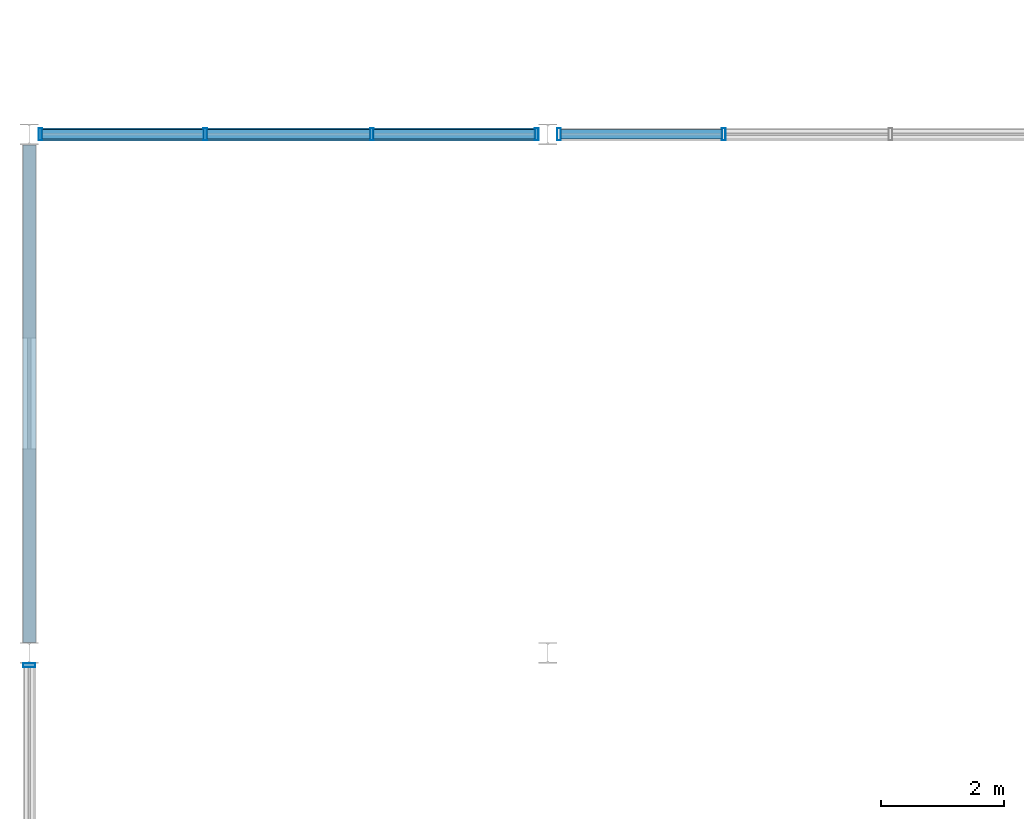
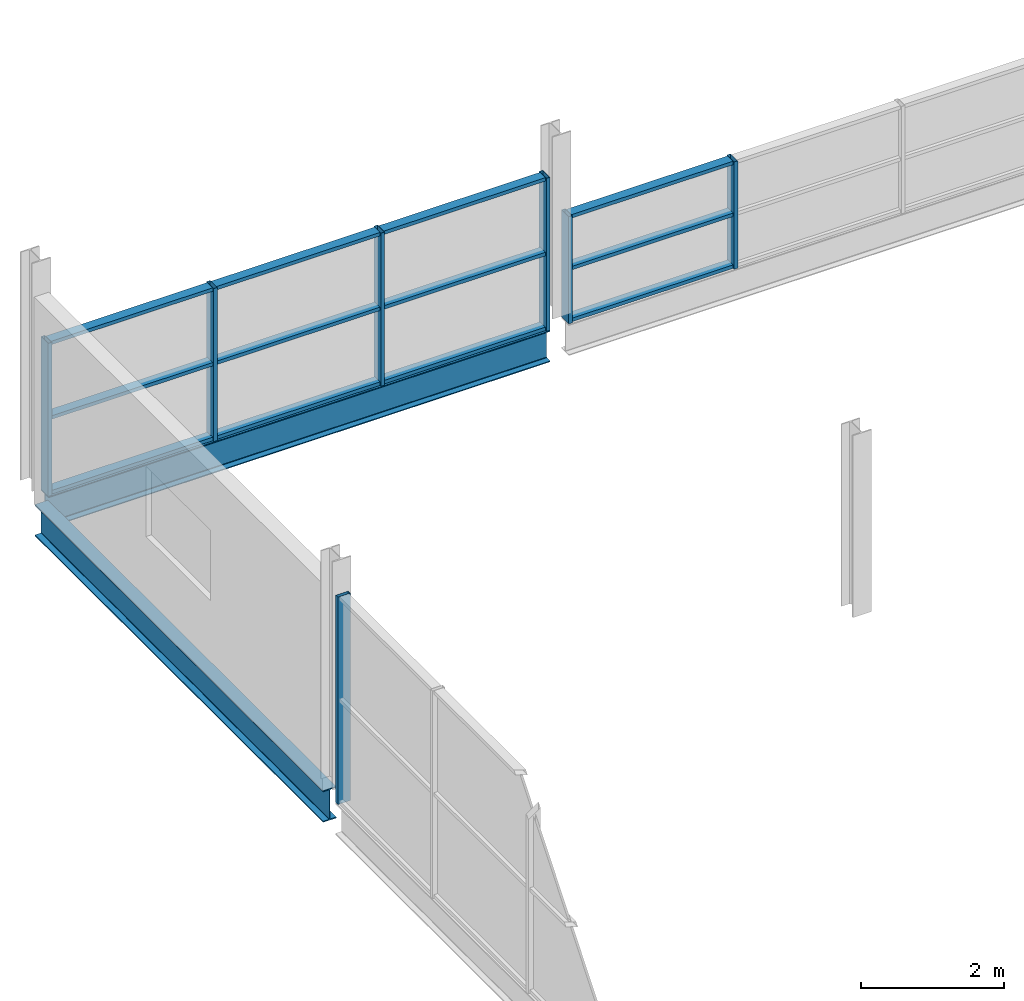
# One storey, part 14 of 43: 19 members, 2 beams, 3 elements without a shape of their own.
"""IFC4 building model written with IfcOpenShell, lengths in metres."""

from ifc_helpers import new_model, si_unit, direction, frame, origin, origin_2d, place, context, subcontext, project, spatial, hollow_rectangle, i_section, extrude, material, material_profile, profile_set, type_object, element, aggregate, save


model = new_model("IFC4")

# Units and contexts
model_context = context("Model", 3, precision=1e-05, world=origin(), true_north=direction((0.0, 1.0)))
body_context = subcontext(model_context, "Body", "Model", "MODEL_VIEW")
ifc_project = project(units=[si_unit("LENGTHUNIT", "METRE"), si_unit("AREAUNIT", "SQUARE_METRE"), si_unit("VOLUMEUNIT", "CUBIC_METRE"), si_unit("PLANEANGLEUNIT", "RADIAN"), si_unit("MASSUNIT", "GRAM", prefix="KILO"), si_unit("THERMODYNAMICTEMPERATUREUNIT", "KELVIN")], contexts=[model_context])

# Site, building, storey
site_placement = place(None, origin())
site = spatial("IfcSite", under=ifc_project, at=site_placement, CompositionType="ELEMENT")
building_placement = place(site_placement, origin())
building = spatial("IfcBuilding", under=site, at=building_placement, Name="Nduvali Passage Aquatics Centre", CompositionType="ELEMENT")
storey_placement = place(building_placement, frame((0.0, 0.0, 17.39990234375)))
storey = spatial("IfcBuildingStorey", under=building, at=storey_placement, Name="L04", CompositionType="ELEMENT", Elevation=17.39990234375)

# Curtain wall, member
ifc_material_1 = material(Name="Aluminium EN AW-6063 T6", Category="aluminium")
curtain_wall_type = type_object("IfcCurtainWallType", Name="ENV-CW-DIVE", PredefinedType="NOTDEFINED", material=ifc_material_1)
curtain_wall_1_placement = place(storey_placement, origin())
curtain_wall_1 = element("IfcCurtainWall", 1, at=curtain_wall_1_placement, inside=storey, type_object=curtain_wall_type, Name="L04 West Diving Upper Roof Clerestory CW 146", PredefinedType="NOTDEFINED")
ifc_material_profile_1 = material_profile(ifc_material_1, hollow_rectangle(XDim=0.06005859375, YDim=0.199951171875, WallThickness=0.00390625, at=origin_2d()), Name="ALU MULLION 60x200x4")
ifc_profile_set_1 = profile_set([ifc_material_profile_1], Name="Aluminium EN AW-6063 T6")
member_type_1 = type_object("IfcMemberType", Name="ENV-MEM-MUL80", PredefinedType="MULLION", material=ifc_profile_set_1)
member_1_placement = place(storey_placement, frame((0.0, 75.39990234375, -0.22998046875), z_axis=(0.0, 0.0, 1.0), x_axis=(0.0, 1.0, 0.0)))
member_1 = element("IfcMember", 2, at=member_1_placement, type_object=member_type_1, Name="West Diving Upper Roof Clerestory CW Mullion 4", PredefinedType="MULLION", context=body_context, shape_type="SweptSolid", body=[
    extrude(hollow_rectangle(XDim=0.06005859375, YDim=0.199951171875, WallThickness=0.00390625, at=origin_2d()), origin(), (0.0, 0.0, 1.0), 3.5400390625),
])
aggregate(curtain_wall_1, [member_1])

# Curtain wall, members
curtain_wall_2_placement = place(storey_placement, origin())
curtain_wall_2 = element("IfcCurtainWall", 3, at=curtain_wall_2_placement, inside=storey, type_object=curtain_wall_type, Name="L04 Diving Upper West Clerestory CW 161", PredefinedType="NOTDEFINED")
member_2_placement = place(storey_placement, frame((0.179931640625, 84.0, -0.22998046875), z_axis=(0.0, 0.0, 1.0), x_axis=(1.0, 0.0, 0.0)))
member_2 = element("IfcMember", 4, at=member_2_placement, type_object=member_type_1, Name="Diving Upper West Clerestory CW Mullion 1", PredefinedType="MULLION", context=body_context, shape_type="SweptSolid", body=[
    extrude(hollow_rectangle(XDim=0.06005859375, YDim=0.199951171875, WallThickness=0.00390625, at=origin_2d()), origin(), (0.0, 0.0, 1.0), 2.610107421875),
])
member_3_placement = place(storey_placement, frame((2.85009765625, 84.0, -0.22998046875), z_axis=(0.0, 0.0, 1.0), x_axis=(1.0, 0.0, 0.0)))
member_3 = element("IfcMember", 5, at=member_3_placement, type_object=member_type_1, Name="Diving Upper West Clerestory CW Mullion 2", PredefinedType="MULLION", context=body_context, shape_type="SweptSolid", body=[
    extrude(hollow_rectangle(XDim=0.06005859375, YDim=0.199951171875, WallThickness=0.00390625, at=origin_2d()), origin(), (0.0, 0.0, 1.0), 2.610107421875),
])
member_4_placement = place(storey_placement, frame((5.550048828125, 84.0, -0.22998046875), z_axis=(0.0, 0.0, 1.0), x_axis=(1.0, 0.0, 0.0)))
member_4 = element("IfcMember", 6, at=member_4_placement, type_object=member_type_1, Name="Diving Upper West Clerestory CW Mullion 3", PredefinedType="MULLION", context=body_context, shape_type="SweptSolid", body=[
    extrude(hollow_rectangle(XDim=0.06005859375, YDim=0.199951171875, WallThickness=0.00390625, at=origin_2d()), origin(), (0.0, 0.0, 1.0), 2.610107421875),
])
member_5_placement = place(storey_placement, frame((8.219970703125, 84.0, -0.22998046875), z_axis=(0.0, 0.0, 1.0), x_axis=(1.0, 0.0, 0.0)))
member_5 = element("IfcMember", 7, at=member_5_placement, type_object=member_type_1, Name="Diving Upper West Clerestory CW Mullion 4", PredefinedType="MULLION", context=body_context, shape_type="SweptSolid", body=[
    extrude(hollow_rectangle(XDim=0.06005859375, YDim=0.199951171875, WallThickness=0.00390625, at=origin_2d()), origin(), (0.0, 0.0, 1.0), 2.610107421875),
])

curtain_wall_3_placement = place(storey_placement, origin())
curtain_wall_3 = element("IfcCurtainWall", 8, at=curtain_wall_3_placement, inside=storey, type_object=curtain_wall_type, Name="L04 Diving Upper Mid Clerestory CW 162", PredefinedType="NOTDEFINED")
member_6_placement = place(storey_placement, frame((8.580078125, 84.0, -0.22998046875), z_axis=(0.0, 0.0, 1.0), x_axis=(1.0, 0.0, 0.0)))
member_6 = element("IfcMember", 9, at=member_6_placement, type_object=member_type_1, Name="Diving Upper Mid Clerestory CW Mullion 1", PredefinedType="MULLION", context=body_context, shape_type="SweptSolid", body=[
    extrude(hollow_rectangle(XDim=0.06005859375, YDim=0.199951171875, WallThickness=0.00390625, at=origin_2d()), origin(), (0.0, 0.0, 1.0), 1.830078125),
])
member_7_placement = place(storey_placement, frame((11.25, 84.0, -0.22998046875), z_axis=(0.0, 0.0, 1.0), x_axis=(1.0, 0.0, 0.0)))
member_7 = element("IfcMember", 10, at=member_7_placement, type_object=member_type_1, Name="Diving Upper Mid Clerestory CW Mullion 2", PredefinedType="MULLION", context=body_context, shape_type="SweptSolid", body=[
    extrude(hollow_rectangle(XDim=0.06005859375, YDim=0.199951171875, WallThickness=0.00390625, at=origin_2d()), origin(), (0.0, 0.0, 1.0), 1.830078125),
])

# Member
ifc_material_profile_2 = material_profile(ifc_material_1, hollow_rectangle(XDim=0.14990234375, YDim=0.06005859375, WallThickness=0.00390625, at=origin_2d()), Name="ALU TRANSOM 150x60x4")
ifc_profile_set_2 = profile_set([ifc_material_profile_2], Name="Aluminium EN AW-6063 T6")
member_type_2 = type_object("IfcMemberType", Name="ENV-MEM-TRN80", PredefinedType="USERDEFINED", material=ifc_profile_set_2)
member_8_placement = place(storey_placement, frame((0.2099609375, 84.0, -0.199951171875), z_axis=(1.0, 0.0, 0.0), x_axis=(0.0, 1.0, 0.0)))
member_8 = element("IfcMember", 11, at=member_8_placement, type_object=member_type_2, Name="Diving Upper West Clerestory CW Transom B1-R0", ObjectType="TRANSOM", PredefinedType="USERDEFINED", context=body_context, shape_type="SweptSolid", body=[
    extrude(hollow_rectangle(XDim=0.14990234375, YDim=0.06005859375, WallThickness=0.00390625, at=origin_2d()), origin(), (0.0, 0.0, 1.0), 2.610107421875),
])

member_9_placement = place(storey_placement, frame((0.2099609375, 84.0, 1.0751953125), z_axis=(1.0, 0.0, 0.0), x_axis=(0.0, 1.0, 0.0)))
member_9 = element("IfcMember", 12, at=member_9_placement, type_object=member_type_2, Name="Diving Upper West Clerestory CW Transom B1-R1", ObjectType="TRANSOM", PredefinedType="USERDEFINED", context=body_context, shape_type="SweptSolid", body=[
    extrude(hollow_rectangle(XDim=0.14990234375, YDim=0.06005859375, WallThickness=0.00390625, at=origin_2d()), origin(), (0.0, 0.0, 1.0), 2.610107421875),
])

member_10_placement = place(storey_placement, frame((0.2099609375, 84.0, 2.35009765625), z_axis=(1.0, 0.0, 0.0), x_axis=(0.0, 1.0, 0.0)))
member_10 = element("IfcMember", 13, at=member_10_placement, type_object=member_type_2, Name="Diving Upper West Clerestory CW Transom B1-R2", ObjectType="TRANSOM", PredefinedType="USERDEFINED", context=body_context, shape_type="SweptSolid", body=[
    extrude(hollow_rectangle(XDim=0.14990234375, YDim=0.06005859375, WallThickness=0.00390625, at=origin_2d()), origin(), (0.0, 0.0, 1.0), 2.610107421875),
])

member_11_placement = place(storey_placement, frame((2.8798828125, 84.0, -0.199951171875), z_axis=(1.0, 0.0, 0.0), x_axis=(0.0, 1.0, 0.0)))
member_11 = element("IfcMember", 14, at=member_11_placement, type_object=member_type_2, Name="Diving Upper West Clerestory CW Transom B2-R0", ObjectType="TRANSOM", PredefinedType="USERDEFINED", context=body_context, shape_type="SweptSolid", body=[
    extrude(hollow_rectangle(XDim=0.14990234375, YDim=0.06005859375, WallThickness=0.00390625, at=origin_2d()), origin(), (0.0, 0.0, 1.0), 2.64013671875),
])

member_12_placement = place(storey_placement, frame((2.8798828125, 84.0, 1.0751953125), z_axis=(1.0, 0.0, 0.0), x_axis=(0.0, 1.0, 0.0)))
member_12 = element("IfcMember", 15, at=member_12_placement, type_object=member_type_2, Name="Diving Upper West Clerestory CW Transom B2-R1", ObjectType="TRANSOM", PredefinedType="USERDEFINED", context=body_context, shape_type="SweptSolid", body=[
    extrude(hollow_rectangle(XDim=0.14990234375, YDim=0.06005859375, WallThickness=0.00390625, at=origin_2d()), origin(), (0.0, 0.0, 1.0), 2.64013671875),
])

member_13_placement = place(storey_placement, frame((2.8798828125, 84.0, 2.35009765625), z_axis=(1.0, 0.0, 0.0), x_axis=(0.0, 1.0, 0.0)))
member_13 = element("IfcMember", 16, at=member_13_placement, type_object=member_type_2, Name="Diving Upper West Clerestory CW Transom B2-R2", ObjectType="TRANSOM", PredefinedType="USERDEFINED", context=body_context, shape_type="SweptSolid", body=[
    extrude(hollow_rectangle(XDim=0.14990234375, YDim=0.06005859375, WallThickness=0.00390625, at=origin_2d()), origin(), (0.0, 0.0, 1.0), 2.64013671875),
])

member_14_placement = place(storey_placement, frame((5.580078125, 84.0, -0.199951171875), z_axis=(1.0, 0.0, 0.0), x_axis=(0.0, 1.0, 0.0)))
member_14 = element("IfcMember", 17, at=member_14_placement, type_object=member_type_2, Name="Diving Upper West Clerestory CW Transom B3-R0", ObjectType="TRANSOM", PredefinedType="USERDEFINED", context=body_context, shape_type="SweptSolid", body=[
    extrude(hollow_rectangle(XDim=0.14990234375, YDim=0.06005859375, WallThickness=0.00390625, at=origin_2d()), origin(), (0.0, 0.0, 1.0), 2.60986328125),
])

member_15_placement = place(storey_placement, frame((5.580078125, 84.0, 1.0751953125), z_axis=(1.0, 0.0, 0.0), x_axis=(0.0, 1.0, 0.0)))
member_15 = element("IfcMember", 18, at=member_15_placement, type_object=member_type_2, Name="Diving Upper West Clerestory CW Transom B3-R1", ObjectType="TRANSOM", PredefinedType="USERDEFINED", context=body_context, shape_type="SweptSolid", body=[
    extrude(hollow_rectangle(XDim=0.14990234375, YDim=0.06005859375, WallThickness=0.00390625, at=origin_2d()), origin(), (0.0, 0.0, 1.0), 2.60986328125),
])

member_16_placement = place(storey_placement, frame((5.580078125, 84.0, 2.35009765625), z_axis=(1.0, 0.0, 0.0), x_axis=(0.0, 1.0, 0.0)))
member_16 = element("IfcMember", 19, at=member_16_placement, type_object=member_type_2, Name="Diving Upper West Clerestory CW Transom B3-R2", ObjectType="TRANSOM", PredefinedType="USERDEFINED", context=body_context, shape_type="SweptSolid", body=[
    extrude(hollow_rectangle(XDim=0.14990234375, YDim=0.06005859375, WallThickness=0.00390625, at=origin_2d()), origin(), (0.0, 0.0, 1.0), 2.60986328125),
])

aggregate(curtain_wall_2, [member_2, member_3, member_4, member_5, member_8, member_9, member_10, member_11, member_12, member_13, member_14, member_15, member_16])

member_17_placement = place(storey_placement, frame((8.610107421875, 84.0, -0.199951171875), z_axis=(1.0, 0.0, 0.0), x_axis=(0.0, 1.0, 0.0)))
member_17 = element("IfcMember", 20, at=member_17_placement, type_object=member_type_2, Name="Diving Upper Mid Clerestory CW Transom B1-R0", ObjectType="TRANSOM", PredefinedType="USERDEFINED", context=body_context, shape_type="SweptSolid", body=[
    extrude(hollow_rectangle(XDim=0.14990234375, YDim=0.06005859375, WallThickness=0.00390625, at=origin_2d()), origin(), (0.0, 0.0, 1.0), 2.60986328125),
])

member_18_placement = place(storey_placement, frame((8.610107421875, 84.0, 0.68505859375), z_axis=(1.0, 0.0, 0.0), x_axis=(0.0, 1.0, 0.0)))
member_18 = element("IfcMember", 21, at=member_18_placement, type_object=member_type_2, Name="Diving Upper Mid Clerestory CW Transom B1-R1", ObjectType="TRANSOM", PredefinedType="USERDEFINED", context=body_context, shape_type="SweptSolid", body=[
    extrude(hollow_rectangle(XDim=0.14990234375, YDim=0.06005859375, WallThickness=0.00390625, at=origin_2d()), origin(), (0.0, 0.0, 1.0), 2.60986328125),
])

member_19_placement = place(storey_placement, frame((8.610107421875, 84.0, 1.570068359375), z_axis=(1.0, 0.0, 0.0), x_axis=(0.0, 1.0, 0.0)))
member_19 = element("IfcMember", 22, at=member_19_placement, type_object=member_type_2, Name="Diving Upper Mid Clerestory CW Transom B1-R2", ObjectType="TRANSOM", PredefinedType="USERDEFINED", context=body_context, shape_type="SweptSolid", body=[
    extrude(hollow_rectangle(XDim=0.14990234375, YDim=0.06005859375, WallThickness=0.00390625, at=origin_2d()), origin(), (0.0, 0.0, 1.0), 2.60986328125),
])

aggregate(curtain_wall_3, [member_6, member_7, member_17, member_18, member_19])

# Beams
ifc_material_2 = material(Name="Steel S355", Category="steel")
ifc_material_profile_3 = material_profile(ifc_material_2, i_section(OverallWidth=0.210693359375, OverallDepth=0.53955078125, WebThickness=0.01171875, FlangeThickness=0.018798828125, FilletRadius=0.0126953125, at=origin_2d()), Name="UKB 533x210x109")
ifc_profile_set_3 = profile_set([ifc_material_profile_3], Name="Steel S355")
beam_type_1 = type_object("IfcBeamType", Name="STR-BM-UKB533-EXT", PredefinedType="BEAM", material=ifc_profile_set_3)
beam_1_placement = place(storey_placement, frame((0.0, 75.77001953125, -0.503662109375), z_axis=(0.0, 1.0, 0.0), x_axis=(-1.0, 0.0, 0.0)))
element("IfcBeam", 23, at=beam_1_placement, inside=storey, type_object=beam_type_1, Name="L04 Primary Y-Girder B6E-1358", PredefinedType="BEAM", context=body_context, shape_type="SweptSolid", body=[
    extrude(i_section(OverallWidth=0.210693359375, OverallDepth=0.53955078125, WebThickness=0.01171875, FlangeThickness=0.018798828125, FilletRadius=0.0126953125, at=origin_2d()), origin(), (0.0, 0.0, 1.0), 8.06005859375),
])
ifc_material_profile_4 = material_profile(ifc_material_2, i_section(OverallWidth=0.209228515625, OverallDepth=0.533203125, WebThickness=0.010009765625, FlangeThickness=0.015625, FilletRadius=0.0126953125, at=origin_2d()), Name="UKB 533x210x92")
ifc_profile_set_4 = profile_set([ifc_material_profile_4], Name="Steel S355")
beam_type_2 = type_object("IfcBeamType", Name="STR-BM-UKB533L", PredefinedType="BEAM", material=ifc_profile_set_4)
beam_2_placement = place(storey_placement, frame((0.14990234375, 84.0, -0.50048828125), z_axis=(1.0, 0.0, 0.0), x_axis=(0.0, 1.0, 0.0)))
element("IfcBeam", 24, at=beam_2_placement, inside=storey, type_object=beam_type_2, Name="L04 Primary X-Girder B6A-1330", PredefinedType="BEAM", context=body_context, shape_type="SweptSolid", body=[
    extrude(i_section(OverallWidth=0.209228515625, OverallDepth=0.533203125, WebThickness=0.010009765625, FlangeThickness=0.015625, FilletRadius=0.0126953125, at=origin_2d()), origin(), (0.0, 0.0, 1.0), 8.10009765625),
])

save(model, "model.ifc")
